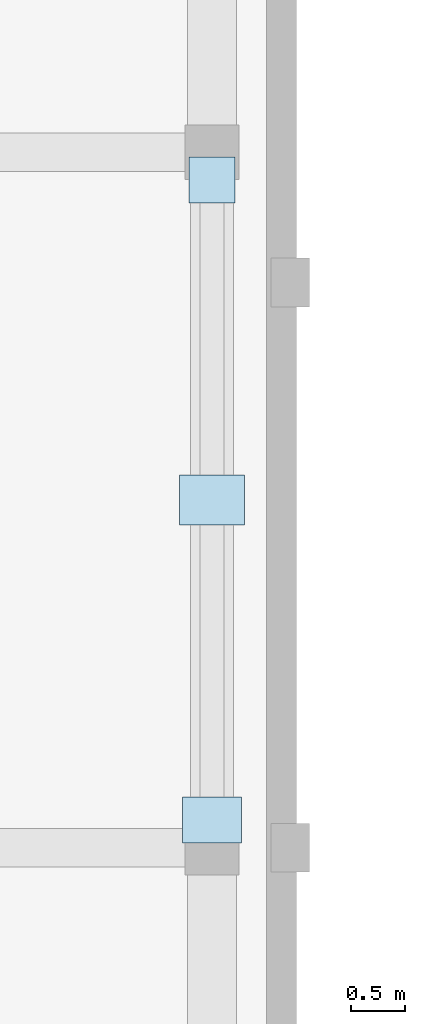
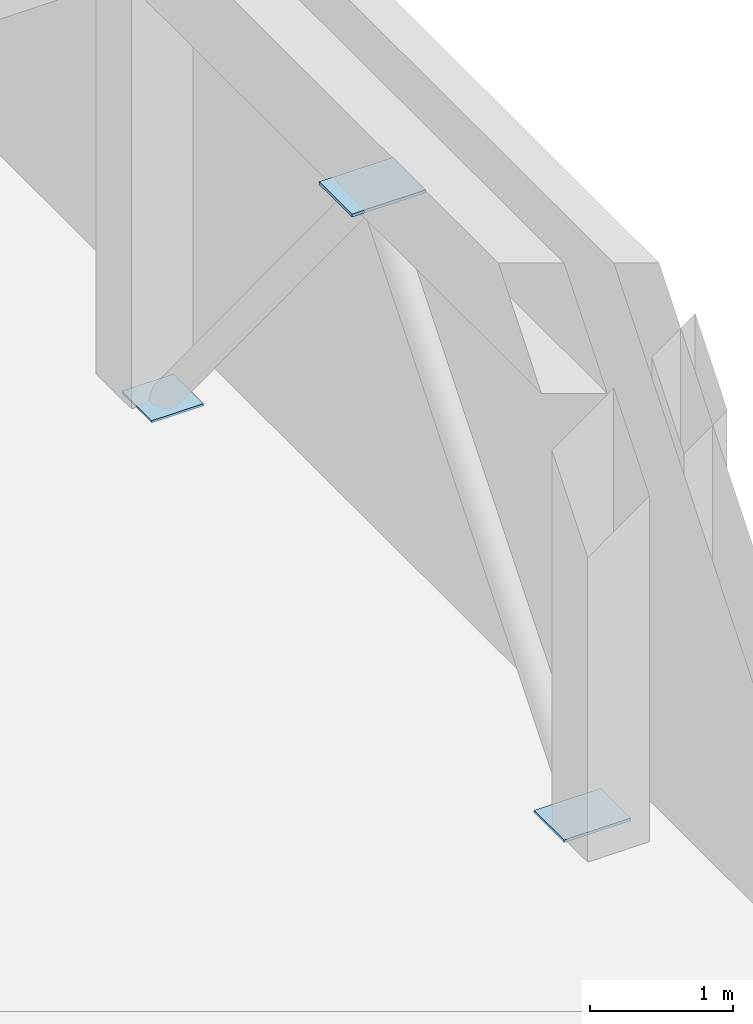
# One storey, part 26 of 45: 3 plates.
"""IFC4 building model written with IfcOpenShell, lengths in metres."""

from ifc_helpers import new_model, si_unit, direction, frame, origin, origin_2d, place, context, subcontext, project, spatial, rectangle, extrude, material, layer, layer_set, type_object, element, save


model = new_model("IFC4")

# Units and contexts
model_context = context("Model", 3, precision=1e-05, world=origin(), true_north=direction((0.0, 1.0)))
body_context = subcontext(model_context, "Body", "Model", "MODEL_VIEW")
ifc_project = project(units=[si_unit("LENGTHUNIT", "METRE"), si_unit("AREAUNIT", "SQUARE_METRE"), si_unit("VOLUMEUNIT", "CUBIC_METRE"), si_unit("PLANEANGLEUNIT", "RADIAN"), si_unit("MASSUNIT", "GRAM", prefix="KILO")], contexts=[model_context])

# Site, building, storey
site_placement = place(None, origin())
site = spatial("IfcSite", under=ifc_project, at=site_placement, CompositionType="ELEMENT")
building_placement = place(site_placement, origin())
building = spatial("IfcBuilding", under=site, at=building_placement, Name="Cinchona Park Media Centre", CompositionType="ELEMENT")
storey_placement = place(building_placement, frame((0.0, 0.0, 20.39990234375)))
storey = spatial("IfcBuildingStorey", under=building, at=storey_placement, Name="L04", CompositionType="ELEMENT", Elevation=20.39990234375)

# Plates
ifc_material_1 = material(Name="Steel S355", Category="steel")
ifc_layer_1 = layer(ifc_material_1, 0.02001953125)
ifc_layer_set_1 = layer_set([ifc_layer_1], Name="Steel S355")
plate_type_1 = type_object("IfcPlateType", Name="PLATE-GP01", PredefinedType="USERDEFINED", material=ifc_layer_set_1)
plate_1_placement = place(storey_placement, frame((171.360107421875, 93.7451171875, -0.0048828125), z_axis=(0.0, 0.0, 1.0), x_axis=(1.0, 0.0, 0.0)))
element("IfcPlate", 1, at=plate_1_placement, inside=storey, type_object=plate_type_1, Name="Truss Node Gusset Plate TN2", ObjectType="GUSSET PLATE", PredefinedType="USERDEFINED", context=body_context, shape_type="SweptSolid", body=[
    extrude(rectangle(XDim=0.419921875, YDim=0.419921875, at=origin_2d()), origin(), (0.0, 0.0, 1.0), 0.02001953125),
])
ifc_material_2 = material(Name="Steel S355", Category="steel")
ifc_layer_2 = layer(ifc_material_2, 0.02392578125)
ifc_layer_set_2 = layer_set([ifc_layer_2], Name="Steel S355")
plate_type_2 = type_object("IfcPlateType", Name="PLATE-GP03", PredefinedType="USERDEFINED", material=ifc_layer_set_2)
plate_2_placement = place(storey_placement, frame((171.360107421875, 87.85498046875, -0.0068359375), z_axis=(0.0, 0.0, 1.0), x_axis=(1.0, 0.0, 0.0)))
element("IfcPlate", 2, at=plate_2_placement, inside=storey, type_object=plate_type_2, Name="Truss Node Gusset Plate TN2", ObjectType="GUSSET PLATE", PredefinedType="USERDEFINED", context=body_context, shape_type="SweptSolid", body=[
    extrude(rectangle(XDim=0.5400390625, YDim=0.419921875, at=origin_2d()), origin(), (0.0, 0.0, 1.0), 0.02392578125),
])
ifc_material_3 = material(Name="Steel S355", Category="steel")
ifc_layer_3 = layer(ifc_material_3, 0.02587890625)
ifc_layer_set_3 = layer_set([ifc_layer_3], Name="Steel S355")
plate_type_3 = type_object("IfcPlateType", Name="PLATE-GP04", PredefinedType="USERDEFINED", material=ifc_layer_set_3)
plate_3_placement = place(storey_placement, frame((171.360107421875, 90.800048828125, 3.587158203125), z_axis=(0.0, 0.0, 1.0), x_axis=(1.0, 0.0, 0.0)))
element("IfcPlate", 3, at=plate_3_placement, inside=storey, type_object=plate_type_3, Name="Truss Node Gusset Plate TN2", ObjectType="GUSSET PLATE", PredefinedType="USERDEFINED", context=body_context, shape_type="SweptSolid", body=[
    extrude(rectangle(XDim=0.60009765625, YDim=0.4599609375, at=origin_2d()), origin(), (0.0, 0.0, 1.0), 0.02587890625),
])

save(model, "model.ifc")
